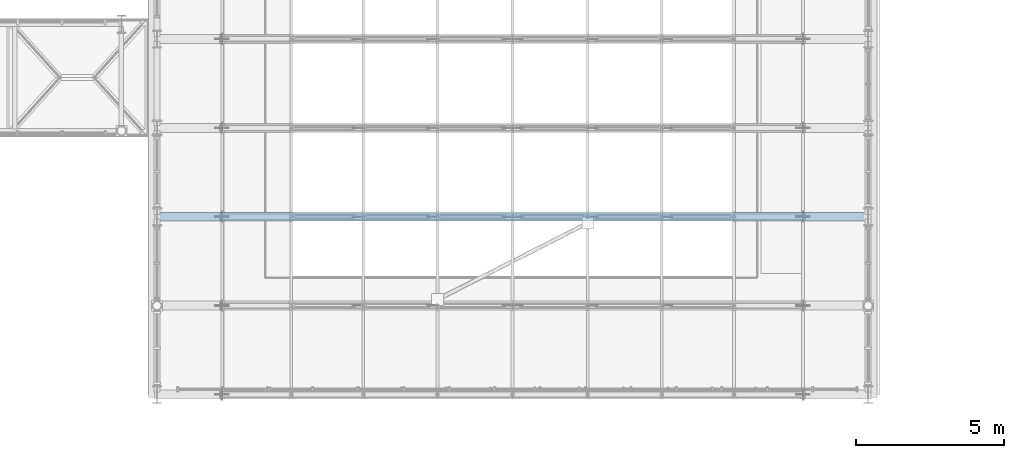
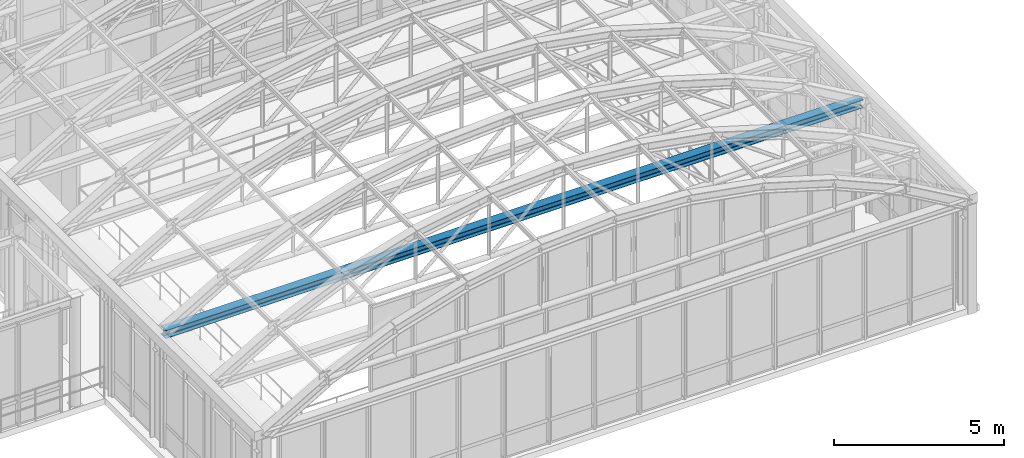
# One storey, part 59 of 148: 1 beam.
"""IFC4 building model written with IfcOpenShell, lengths in metres."""

import ifcopenshell
import ifcopenshell.guid

model = None  # the IFC model being written
_history = None  # IfcOwnerHistory: only IFC2X3 demands one
_inside = {}  # id of a spatial element -> (the spatial element, [elements in it])
_under = {}  # id of a project, library or spatial element -> (it, [spatial elements below it])
_declared = {}  # id of a project -> (the project, [libraries it declares])
_typed = {}  # id of a type object -> (the type object, [elements of that type])
_made_of = {}  # id of a material, layer set ... -> (it, [elements and type objects made of it])


def new_model(schema):
    """Start an empty IFC model of exactly this schema.

    Asked for "IFC4X3", IfcOpenShell would pick the latest addendum, in which some entities
    have other attributes; the version numbers below select the first issue.
    IFC2X3 requires an IfcOwnerHistory on every rooted entity: one is made here for all.
    """
    global model, _history
    if schema == "IFC4X3":
        model = ifcopenshell.file(schema_version=(4, 3, 0, 0))
    else:
        model = ifcopenshell.file(schema=schema)
    _inside.clear()
    _under.clear()
    _declared.clear()
    _typed.clear()
    _made_of.clear()
    _history = None
    if model.schema == "IFC2X3":
        org = make("IfcOrganization", Name="unknown")
        user = make(
            "IfcPersonAndOrganization",
            ThePerson=make("IfcPerson", FamilyName="unknown"),
            TheOrganization=org,
        )
        app = make(
            "IfcApplication",
            ApplicationDeveloper=org,
            Version="unknown",
            ApplicationFullName="unknown",
            ApplicationIdentifier="unknown",
        )
        _history = make(
            "IfcOwnerHistory",
            OwningUser=user,
            OwningApplication=app,
            ChangeAction="ADDED",
            CreationDate=0,
        )
    return model


def make(cls, **values):
    """One entity of the class cls with the attributes given. An attribute that is None is left unset."""
    return model.create_entity(
        cls, **{name: value for name, value in values.items() if value is not None}
    )


def rooted(cls, **values):
    """An entity with a GlobalId (a new one), such as an element, a storey or a relation."""
    return make(cls, GlobalId=ifcopenshell.guid.new(), OwnerHistory=_history, **values)


def si_unit(unit_type, name, prefix=None):
    """IfcSIUnit, for example si_unit("LENGTHUNIT", "METRE", prefix="MILLI")."""
    return make("IfcSIUnit", UnitType=unit_type, Prefix=prefix, Name=name)


def assignment(units):
    """IfcUnitAssignment: the units of a project."""
    return None if units is None else make("IfcUnitAssignment", Units=units)


def point(xyz):
    """IfcCartesianPoint."""
    return None if xyz is None else make("IfcCartesianPoint", Coordinates=xyz)


def direction(xyz):
    """IfcDirection."""
    return None if xyz is None else make("IfcDirection", DirectionRatios=xyz)


def frame(location, z_axis=None, x_axis=None):
    """IfcAxis2Placement3D, a coordinate frame: its origin and axes. An axis left out is left unset."""
    return make(
        "IfcAxis2Placement3D",
        Location=point(location),
        Axis=direction(z_axis),
        RefDirection=direction(x_axis),
    )


def frame_2d(location, x_axis=None):
    """IfcAxis2Placement2D, a coordinate frame in the plane: its origin and x axis."""
    return make(
        "IfcAxis2Placement2D", Location=point(location), RefDirection=direction(x_axis)
    )


def origin():
    """The frame at (0, 0, 0) with its axes left unset."""
    return frame((0.0, 0.0, 0.0))


def origin_2d():
    """The frame at (0, 0) in the plane with its x axis left unset."""
    return frame_2d((0.0, 0.0))


def place(relative_to, where):
    """IfcLocalPlacement: puts the frame where relative to a parent placement (None: the world)."""
    return make(
        "IfcLocalPlacement", PlacementRelTo=relative_to, RelativePlacement=where
    )


def context(
    kind, dimensions, precision=None, world=None, true_north=None, identifier=None
):
    """IfcGeometricRepresentationContext, for example the 3D "Model" context."""
    return make(
        "IfcGeometricRepresentationContext",
        ContextIdentifier=identifier,
        ContextType=kind,
        CoordinateSpaceDimension=dimensions,
        Precision=precision,
        WorldCoordinateSystem=world,
        TrueNorth=true_north,
    )


def subcontext(parent, identifier, kind, view, scale=None):
    """IfcGeometricRepresentationSubContext, for example "Body" below "Model"."""
    return make(
        "IfcGeometricRepresentationSubContext",
        ContextIdentifier=identifier,
        ContextType=kind,
        ParentContext=parent,
        TargetScale=scale,
        TargetView=view,
    )


def project(units=None, contexts=None):
    """IfcProject with its units and contexts."""
    return rooted(
        "IfcProject",
        Name="project",
        RepresentationContexts=contexts,
        UnitsInContext=assignment(units),
    )


def spatial(cls, under=None, at=None, **own):
    """A site, building, storey or space (cls), placed at a placement, below another one or the project."""
    s = rooted(cls, ObjectPlacement=at, **own)
    if under is not None:
        _under.setdefault(under.id(), (under, []))[1].append(s)
    return s


def profile(cls, at=None, kind="AREA", **sizes):
    """A parametric profile (cls). Its sizes go by their IFC names, for example OverallWidth=200.0."""
    return make(cls, ProfileType=kind, Position=at, **sizes)


def i_section(**sizes):
    """IfcIShapeProfileDef."""
    return profile("IfcIShapeProfileDef", **sizes)


def extrude(swept, where, along, depth):
    """IfcExtrudedAreaSolid: the profile swept, set in the frame where, extruded along a direction by depth."""
    return make(
        "IfcExtrudedAreaSolid",
        SweptArea=swept,
        Position=where,
        ExtrudedDirection=direction(along),
        Depth=depth,
    )


def shape(context_of_items, identifier, shape_type, items):
    """IfcShapeRepresentation: the items that make up one representation, for example the "Body"."""
    return make(
        "IfcShapeRepresentation",
        ContextOfItems=context_of_items,
        RepresentationIdentifier=identifier,
        RepresentationType=shape_type,
        Items=items,
    )


def material(Name=None, Category=None):
    """IfcMaterial."""
    return make("IfcMaterial", Name=Name, Category=Category)


def material_profile(
    of_material, cross_section, Name=None, Category=None, Priority=None
):
    """IfcMaterialProfile: a cross section and its material."""
    return make(
        "IfcMaterialProfile",
        Name=Name,
        Material=of_material,
        Profile=cross_section,
        Priority=Priority,
        Category=Category,
    )


def profile_set(profiles, Name=None, composite=None):
    """IfcMaterialProfileSet."""
    return make(
        "IfcMaterialProfileSet",
        Name=Name,
        MaterialProfiles=profiles,
        CompositeProfile=composite,
    )


def made_of(thing, what):
    """Note that an element or type object is made of a material, layer set ...; save() writes the relation."""
    if what is not None:
        _made_of.setdefault(what.id(), (what, []))[1].append(thing)
    return thing


def type_object(cls, material=None, **own):
    """A type object (cls), such as IfcWallType, which elements share."""
    return made_of(rooted(cls, **own), material)


def element(
    cls,
    number,
    at=None,
    inside=None,
    cuts=None,
    type_object=None,
    material=None,
    context=None,
    identifier="Body",
    shape_type=None,
    held_by="IfcProductDefinitionShape",
    body=None,
    shapes=None,
    **own,
):
    """One element of the class cls, such as IfcWall. Its Tag is "e" and its number.

    at: its placement. inside: the storey or other place that contains it. cuts: it is an
    opening in that element (IfcRelVoidsElement). A single representation is given by context,
    identifier, shape_type and body (its items); several are given by shapes. held_by: the class
    of the entity that holds the representations. save() writes the other relations.
    """
    e = rooted(cls, Tag="e%d" % number, ObjectPlacement=at, **own)
    if body is not None:
        shapes = [shape(context, identifier, shape_type, body)]
    if shapes is not None:
        e.Representation = make(held_by, Representations=shapes)
    if inside is not None:
        _inside.setdefault(inside.id(), (inside, []))[1].append(e)
    if cuts is not None:
        rooted(
            "IfcRelVoidsElement", RelatingBuildingElement=cuts, RelatedOpeningElement=e
        )
    if type_object is not None:
        _typed.setdefault(type_object.id(), (type_object, []))[1].append(e)
    return made_of(e, material)


def aggregate(whole, parts):
    """IfcRelAggregates: a whole, such as a stair, and the parts it consists of."""
    return rooted("IfcRelAggregates", RelatingObject=whole, RelatedObjects=parts)


def save(model, path):
    """Write the relations noted so far, then the file.

    IfcRelAggregates (storeys below a building ...), IfcRelContainedInSpatialStructure (elements
    in a storey), IfcRelDefinesByType, IfcRelAssociatesMaterial and IfcRelDeclares: one each for
    every whole, place, type object, material and project.
    """
    for whole, parts in _under.values():
        aggregate(whole, parts)
    for where, things in _inside.values():
        rooted(
            "IfcRelContainedInSpatialStructure",
            RelatedElements=things,
            RelatingStructure=where,
        )
    for kind, things in _typed.values():
        rooted("IfcRelDefinesByType", RelatedObjects=things, RelatingType=kind)
    for what, things in _made_of.values():
        rooted("IfcRelAssociatesMaterial", RelatedObjects=things, RelatingMaterial=what)
    for by, libraries in _declared.values():
        rooted("IfcRelDeclares", RelatingContext=by, RelatedDefinitions=libraries)
    model.write(path)


model = new_model("IFC4")

# Units and contexts
model_context = context("Model", 3, precision=1e-05, world=origin(), true_north=direction((0.0, 1.0)))
body_context = subcontext(model_context, "Body", "Model", "MODEL_VIEW")
ifc_project = project(units=[si_unit("LENGTHUNIT", "METRE"), si_unit("AREAUNIT", "SQUARE_METRE"), si_unit("VOLUMEUNIT", "CUBIC_METRE"), si_unit("PLANEANGLEUNIT", "RADIAN"), si_unit("MASSUNIT", "GRAM", prefix="KILO"), si_unit("THERMODYNAMICTEMPERATUREUNIT", "KELVIN"), si_unit("POWERUNIT", "WATT")], contexts=[model_context])

# Site, building, storey
site_placement = place(None, origin())
site = spatial("IfcSite", under=ifc_project, at=site_placement, CompositionType="ELEMENT")
building_placement = place(site_placement, origin())
building = spatial("IfcBuilding", under=site, at=building_placement, Name="Solvatero Civic Police Headquarters", CompositionType="ELEMENT")
storey_placement = place(building_placement, frame((0.0, 0.0, 5.10009765625)))
storey = spatial("IfcBuildingStorey", under=building, at=storey_placement, Name="L01", CompositionType="ELEMENT", Elevation=5.10009765625)

# Beam
ifc_material = material(Name="Steel S355", Category="steel")
ifc_material_profile = material_profile(ifc_material, i_section(OverallWidth=0.300048828125, OverallDepth=0.2900390625, WebThickness=0.008544921875, FlangeThickness=0.013916015625, FilletRadius=0.027099609375, at=origin_2d()), Name="HEA 300")
ifc_profile_set = profile_set([ifc_material_profile], Name="Steel S355")
beam_type = type_object("IfcBeamType", Name="BM-ST-HEA300", PredefinedType="SPANDREL", material=ifc_profile_set)
beam_placement = place(storey_placement, frame((64.919921875, 47.5, 3.864013671875), z_axis=(1.0, 0.0, 0.0), x_axis=(0.0, 1.0, 0.0)))
element("IfcBeam", 1, at=beam_placement, inside=storey, type_object=beam_type, Name="VLT2 Barrel Vault Springing Tie Beam F3", PredefinedType="SPANDREL", context=body_context, shape_type="SweptSolid", body=[
    extrude(i_section(OverallWidth=0.300048828125, OverallDepth=0.2900390625, WebThickness=0.008544921875, FlangeThickness=0.013916015625, FilletRadius=0.027099609375, at=origin_2d()), origin(), (0.0, 0.0, 1.0), 23.719970703125),
])

save(model, "model.ifc")
